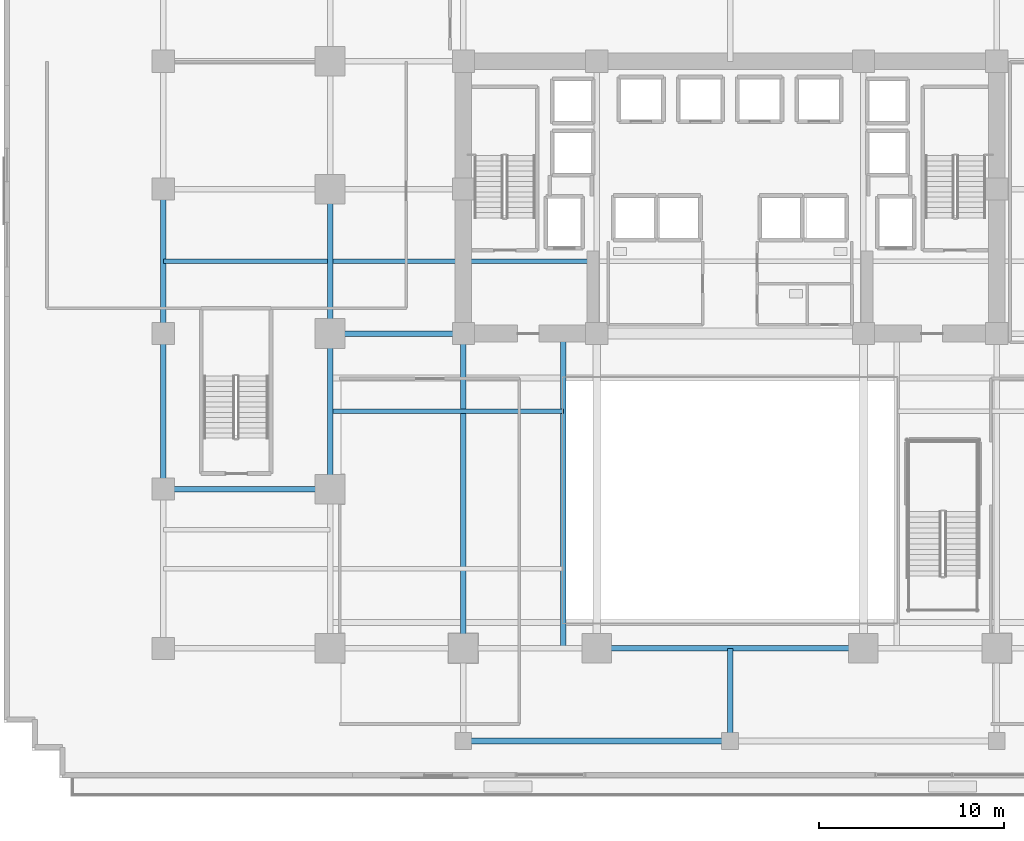
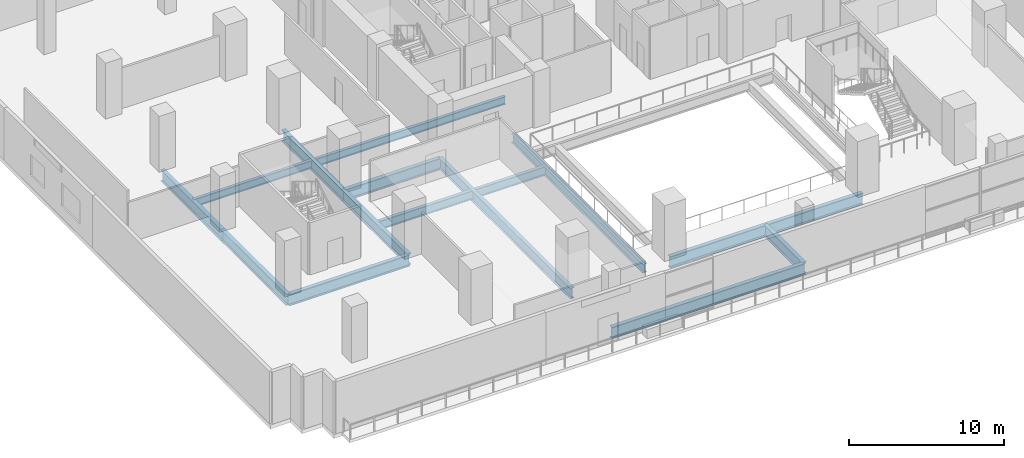
# One storey, part 3 of 21: 14 beams.
"""IFC4 building model written with IfcOpenShell, lengths in metres."""

from ifc_helpers import new_model, si_unit, direction, frame, origin, origin_2d, place, context, subcontext, project, spatial, i_section, extrude, material, material_profile, profile_set, type_object, element, save


model = new_model("IFC4")

# Units and contexts
model_context = context("Model", 3, precision=1e-05, world=origin(), true_north=direction((0.0, 1.0)))
body_context = subcontext(model_context, "Body", "Model", "MODEL_VIEW")
ifc_project = project(units=[si_unit("LENGTHUNIT", "METRE"), si_unit("AREAUNIT", "SQUARE_METRE"), si_unit("VOLUMEUNIT", "CUBIC_METRE"), si_unit("PLANEANGLEUNIT", "RADIAN"), si_unit("MASSUNIT", "GRAM", prefix="KILO")], contexts=[model_context])

# Site, building, storey
site_placement = place(None, origin())
site = spatial("IfcSite", under=ifc_project, at=site_placement, CompositionType="ELEMENT")
building_placement = place(site_placement, origin())
building = spatial("IfcBuilding", under=site, at=building_placement, Name="Zarnakvel Exchange Tower", CompositionType="ELEMENT")
storey_placement = place(building_placement, frame((0.0, 0.0, 5.0)))
storey = spatial("IfcBuildingStorey", under=building, at=storey_placement, Name="L01", CompositionType="ELEMENT", Elevation=5.0)

# Beams
ifc_material = material(Name="Steel S355", Category="steel")
ifc_material_profile_1 = material_profile(ifc_material, i_section(OverallWidth=0.255859375, OverallDepth=0.69287109375, WebThickness=0.014404296875, FlangeThickness=0.023681640625, FilletRadius=0.01513671875, at=origin_2d()))
ifc_profile_set_1 = profile_set([ifc_material_profile_1], Name="Steel S355")
beam_type_1 = type_object("IfcBeamType", Name="B-01", PredefinedType="JOIST", material=ifc_profile_set_1)
beam_1_placement = place(storey_placement, frame((-21.60009765625, -5.39990234375, -0.646484375), z_axis=(1.0, 0.0, 0.0), x_axis=(0.0, 1.0, 0.0)))
element("IfcBeam", 1, at=beam_1_placement, inside=storey, type_object=beam_type_1, Name="L01 Exchange Hall Atrium Trimmer West", PredefinedType="JOIST", context=body_context, shape_type="SweptSolid", body=[
    extrude(i_section(OverallWidth=0.255859375, OverallDepth=0.69287109375, WebThickness=0.014404296875, FlangeThickness=0.023681640625, FilletRadius=0.01513671875, at=origin_2d()), origin(), (0.0, 0.0, 1.0), 12.60009765625),
])
ifc_material_profile_2 = material_profile(ifc_material, i_section(OverallWidth=0.230224609375, OverallDepth=0.6171875, WebThickness=0.01318359375, FlangeThickness=0.022216796875, FilletRadius=0.0126953125, at=origin_2d()))
ifc_profile_set_2 = profile_set([ifc_material_profile_2], Name="Steel S355")
beam_type_2 = type_object("IfcBeamType", Name="B-02", PredefinedType="JOIST", material=ifc_profile_set_2)
beam_2_placement = place(storey_placement, frame((-30.60009765625, 2.699951171875, -0.608642578125), z_axis=(1.0, 0.0, 0.0), x_axis=(0.0, 1.0, 0.0)))
element("IfcBeam", 2, at=beam_2_placement, inside=storey, type_object=beam_type_2, Name="L01 Secondary Floor Joist", PredefinedType="JOIST", context=body_context, shape_type="SweptSolid", body=[
    extrude(i_section(OverallWidth=0.230224609375, OverallDepth=0.6171875, WebThickness=0.01318359375, FlangeThickness=0.022216796875, FilletRadius=0.0126953125, at=origin_2d()), origin(), (0.0, 0.0, 1.0), 8.85009765625),
])
beam_3_placement = place(storey_placement, frame((-21.449951171875, 2.699951171875, -0.608642578125), z_axis=(1.0, 0.0, 0.0), x_axis=(0.0, 1.0, 0.0)))
element("IfcBeam", 3, at=beam_3_placement, inside=storey, type_object=beam_type_2, Name="L01 Secondary Floor Joist", PredefinedType="JOIST", context=body_context, shape_type="SweptSolid", body=[
    extrude(i_section(OverallWidth=0.230224609375, OverallDepth=0.6171875, WebThickness=0.01318359375, FlangeThickness=0.022216796875, FilletRadius=0.0126953125, at=origin_2d()), origin(), (0.0, 0.0, 1.0), 14.099853515625),
])
ifc_material_profile_3 = material_profile(ifc_material, i_section(OverallWidth=0.300048828125, OverallDepth=0.89990234375, WebThickness=0.0185546875, FlangeThickness=0.034912109375, FilletRadius=0.030029296875, at=origin_2d()))
ifc_profile_set_3 = profile_set([ifc_material_profile_3], Name="Steel S355")
beam_type_3 = type_object("IfcBeamType", Name="G-01", PredefinedType="BEAM", material=ifc_profile_set_3)
beam_4_placement = place(storey_placement, frame((-7.199951171875, -18.199951171875, -0.75), z_axis=(1.0, 0.0, 0.0), x_axis=(0.0, 1.0, 0.0)))
element("IfcBeam", 4, at=beam_4_placement, inside=storey, type_object=beam_type_3, Name="L01 Primary E-W Girder Y=-18.2", PredefinedType="BEAM", context=body_context, shape_type="SweptSolid", body=[
    extrude(i_section(OverallWidth=0.300048828125, OverallDepth=0.89990234375, WebThickness=0.0185546875, FlangeThickness=0.034912109375, FilletRadius=0.030029296875, at=origin_2d()), origin(), (0.0, 0.0, 1.0), 14.39990234375),
])
beam_5_placement = place(storey_placement, frame((-30.60009765625, -9.60009765625, -0.75), z_axis=(1.0, 0.0, 0.0), x_axis=(0.0, 1.0, 0.0)))
element("IfcBeam", 5, at=beam_5_placement, inside=storey, type_object=beam_type_3, Name="L01 Primary E-W Girder Y=-9.6", PredefinedType="BEAM", context=body_context, shape_type="SweptSolid", body=[
    extrude(i_section(OverallWidth=0.300048828125, OverallDepth=0.89990234375, WebThickness=0.0185546875, FlangeThickness=0.034912109375, FilletRadius=0.030029296875, at=origin_2d()), origin(), (0.0, 0.0, 1.0), 9.0),
])
beam_6_placement = place(storey_placement, frame((-21.60009765625, -1.199951171875, -0.75), z_axis=(1.0, 0.0, 0.0), x_axis=(0.0, 1.0, 0.0)))
element("IfcBeam", 6, at=beam_6_placement, inside=storey, type_object=beam_type_3, Name="L01 Primary E-W Girder Y=-1.2", PredefinedType="BEAM", context=body_context, shape_type="SweptSolid", body=[
    extrude(i_section(OverallWidth=0.300048828125, OverallDepth=0.89990234375, WebThickness=0.0185546875, FlangeThickness=0.034912109375, FilletRadius=0.030029296875, at=origin_2d()), origin(), (0.0, 0.0, 1.0), 7.2001953125),
])
beam_7_placement = place(storey_placement, frame((-14.39990234375, -23.199951171875, -0.75), z_axis=(1.0, 0.0, 0.0), x_axis=(0.0, 1.0, 0.0)))
element("IfcBeam", 7, at=beam_7_placement, inside=storey, type_object=beam_type_3, Name="L01 Primary E-W Girder Y=-23.2", PredefinedType="BEAM", context=body_context, shape_type="SweptSolid", body=[
    extrude(i_section(OverallWidth=0.300048828125, OverallDepth=0.89990234375, WebThickness=0.0185546875, FlangeThickness=0.034912109375, FilletRadius=0.030029296875, at=origin_2d()), origin(), (0.0, 0.0, 1.0), 14.39990234375),
])
beam_8_placement = place(storey_placement, frame((-30.60009765625, -9.60009765625, -0.75), z_axis=(0.0, 1.0, 0.0), x_axis=(-1.0, 0.0, 0.0)))
element("IfcBeam", 8, at=beam_8_placement, inside=storey, type_object=beam_type_3, Name="L01 Primary N-S Girder X=-30.6", PredefinedType="BEAM", context=body_context, shape_type="SweptSolid", body=[
    extrude(i_section(OverallWidth=0.300048828125, OverallDepth=0.89990234375, WebThickness=0.0185546875, FlangeThickness=0.034912109375, FilletRadius=0.030029296875, at=origin_2d()), origin(), (0.0, 0.0, 1.0), 8.400146484375),
])
beam_9_placement = place(storey_placement, frame((-30.60009765625, -1.199951171875, -0.75), z_axis=(0.0, 1.0, 0.0), x_axis=(-1.0, 0.0, 0.0)))
element("IfcBeam", 9, at=beam_9_placement, inside=storey, type_object=beam_type_3, Name="L01 Primary N-S Girder X=-30.6", PredefinedType="BEAM", context=body_context, shape_type="SweptSolid", body=[
    extrude(i_section(OverallWidth=0.300048828125, OverallDepth=0.89990234375, WebThickness=0.0185546875, FlangeThickness=0.034912109375, FilletRadius=0.030029296875, at=origin_2d()), origin(), (0.0, 0.0, 1.0), 7.800048828125),
])
beam_10_placement = place(storey_placement, frame((-21.60009765625, -9.60009765625, -0.75), z_axis=(0.0, 1.0, 0.0), x_axis=(-1.0, 0.0, 0.0)))
element("IfcBeam", 10, at=beam_10_placement, inside=storey, type_object=beam_type_3, Name="L01 Primary N-S Girder X=-21.6", PredefinedType="BEAM", context=body_context, shape_type="SweptSolid", body=[
    extrude(i_section(OverallWidth=0.300048828125, OverallDepth=0.89990234375, WebThickness=0.0185546875, FlangeThickness=0.034912109375, FilletRadius=0.030029296875, at=origin_2d()), origin(), (0.0, 0.0, 1.0), 8.400146484375),
])
beam_11_placement = place(storey_placement, frame((-21.60009765625, -1.199951171875, -0.75), z_axis=(0.0, 1.0, 0.0), x_axis=(-1.0, 0.0, 0.0)))
element("IfcBeam", 11, at=beam_11_placement, inside=storey, type_object=beam_type_3, Name="L01 Primary N-S Girder X=-21.6", PredefinedType="BEAM", context=body_context, shape_type="SweptSolid", body=[
    extrude(i_section(OverallWidth=0.300048828125, OverallDepth=0.89990234375, WebThickness=0.0185546875, FlangeThickness=0.034912109375, FilletRadius=0.030029296875, at=origin_2d()), origin(), (0.0, 0.0, 1.0), 7.800048828125),
])
beam_12_placement = place(storey_placement, frame((0.0, -23.199951171875, -0.75), z_axis=(0.0, 1.0, 0.0), x_axis=(-1.0, 0.0, 0.0)))
element("IfcBeam", 12, at=beam_12_placement, inside=storey, type_object=beam_type_3, Name="L01 Primary N-S Girder X=+0.0 South", PredefinedType="BEAM", context=body_context, shape_type="SweptSolid", body=[
    extrude(i_section(OverallWidth=0.300048828125, OverallDepth=0.89990234375, WebThickness=0.0185546875, FlangeThickness=0.034912109375, FilletRadius=0.030029296875, at=origin_2d()), origin(), (0.0, 0.0, 1.0), 5.0),
])
ifc_material_profile_4 = material_profile(ifc_material, i_section(OverallWidth=0.300048828125, OverallDepth=0.699951171875, WebThickness=0.01708984375, FlangeThickness=0.031982421875, FilletRadius=0.027099609375, at=origin_2d()))
ifc_profile_set_4 = profile_set([ifc_material_profile_4], Name="Steel S355")
beam_type_4 = type_object("IfcBeamType", Name="G-03", PredefinedType="BEAM", material=ifc_profile_set_4)
beam_13_placement = place(storey_placement, frame((-9.0, -18.199951171875, -0.64990234375), z_axis=(0.0, 1.0, 0.0), x_axis=(-1.0, 0.0, 0.0)))
element("IfcBeam", 13, at=beam_13_placement, inside=storey, type_object=beam_type_4, Name="L01 Atrium West Edge Girder", PredefinedType="BEAM", context=body_context, shape_type="SweptSolid", body=[
    extrude(i_section(OverallWidth=0.300048828125, OverallDepth=0.699951171875, WebThickness=0.01708984375, FlangeThickness=0.031982421875, FilletRadius=0.027099609375, at=origin_2d()), origin(), (0.0, 0.0, 1.0), 17.0),
])
ifc_material_profile_5 = material_profile(ifc_material, i_section(OverallWidth=0.293701171875, OverallDepth=0.850830078125, WebThickness=0.01611328125, FlangeThickness=0.02685546875, FilletRadius=0.017822265625, at=origin_2d()))
ifc_profile_set_5 = profile_set([ifc_material_profile_5], Name="Steel S355")
beam_type_5 = type_object("IfcBeamType", Name="TB-02", PredefinedType="T_BEAM", material=ifc_profile_set_5)
beam_14_placement = place(storey_placement, frame((-14.39990234375, -18.199951171875, -0.725341796875), z_axis=(0.0, 1.0, 0.0), x_axis=(-1.0, 0.0, 0.0)))
element("IfcBeam", 14, at=beam_14_placement, inside=storey, type_object=beam_type_5, Name="L01 Primary N-S Girder X=-14.4", PredefinedType="T_BEAM", context=body_context, shape_type="SweptSolid", body=[
    extrude(i_section(OverallWidth=0.293701171875, OverallDepth=0.850830078125, WebThickness=0.01611328125, FlangeThickness=0.02685546875, FilletRadius=0.017822265625, at=origin_2d()), origin(), (0.0, 0.0, 1.0), 17.0),
])

save(model, "model.ifc")
